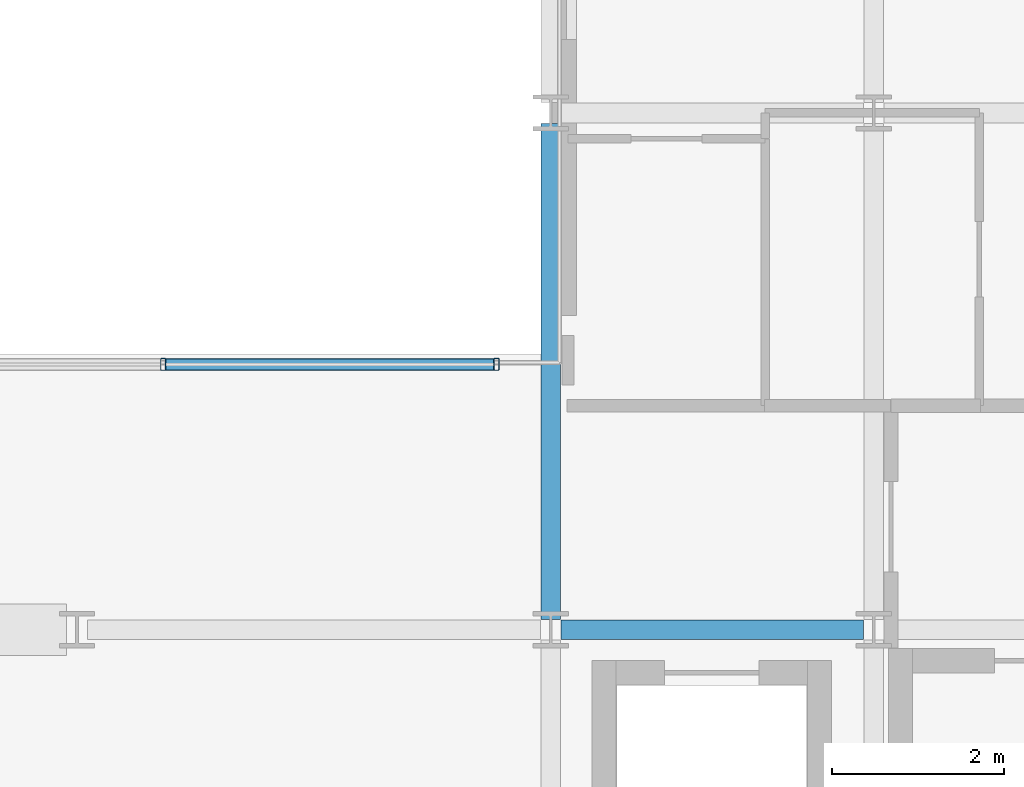
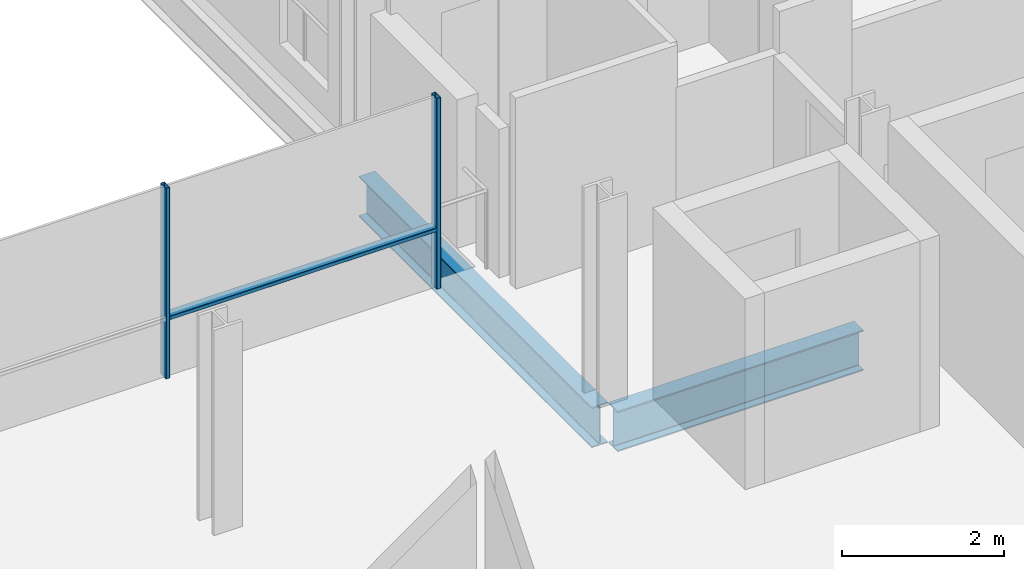
# One storey, part 13 of 41: 3 members, 2 beams, 1 element without a shape of its own.
"""IFC4 building model written with IfcOpenShell, lengths in metres."""

from ifc_helpers import new_model, si_unit, direction, frame, origin, origin_2d, place, context, subcontext, project, spatial, hollow_rectangle, i_section, extrude, material, layer, layer_set, material_profile, profile_set, type_object, element, aggregate, save


model = new_model("IFC4")

# Units and contexts
model_context = context("Model", 3, precision=1e-05, world=origin(), true_north=direction((0.0, 1.0)))
body_context = subcontext(model_context, "Body", "Model", "MODEL_VIEW")
ifc_project = project(units=[si_unit("LENGTHUNIT", "METRE"), si_unit("AREAUNIT", "SQUARE_METRE"), si_unit("VOLUMEUNIT", "CUBIC_METRE"), si_unit("PLANEANGLEUNIT", "RADIAN"), si_unit("MASSUNIT", "GRAM", prefix="KILO")], contexts=[model_context])

# Site, building, storey
site_placement = place(None, origin())
site = spatial("IfcSite", under=ifc_project, at=site_placement, CompositionType="ELEMENT")
building_placement = place(site_placement, origin())
building = spatial("IfcBuilding", under=site, at=building_placement, Name="Brevholm Reach", CompositionType="ELEMENT")
storey_placement = place(building_placement, frame((0.0, 0.0, 106.60009765625)))
storey = spatial("IfcBuildingStorey", under=building, at=storey_placement, Name="L31", CompositionType="ELEMENT", Elevation=106.60009765625)

# Beams
ifc_material_1 = material(Name="Structural Steel S355J2", Category="steel")
ifc_material_profile_1 = material_profile(ifc_material_1, i_section(OverallWidth=0.22900390625, OverallDepth=0.6123046875, WebThickness=0.011962890625, FlangeThickness=0.01953125, FilletRadius=0.0126953125, at=origin_2d()), Name="UKB 610x229x125")
ifc_profile_set_1 = profile_set([ifc_material_profile_1], Name="Structural Steel S355J2")
beam_type = type_object("IfcBeamType", Name="BM-SP610", PredefinedType="SPANDREL", material=ifc_profile_set_1)
beam_1_placement = place(storey_placement, frame((38.3701171875, 10.0, -0.526123046875), z_axis=(1.0, 0.0, 0.0), x_axis=(0.0, 1.0, 0.0)))
element("IfcBeam", 1, at=beam_1_placement, inside=storey, type_object=beam_type, Name="L31 SP-01 Framing Beam", PredefinedType="SPANDREL", context=body_context, shape_type="SweptSolid", body=[
    extrude(i_section(OverallWidth=0.22900390625, OverallDepth=0.6123046875, WebThickness=0.011962890625, FlangeThickness=0.01953125, FilletRadius=0.0126953125, at=origin_2d()), origin(), (0.0, 0.0, 1.0), 3.509765625),
])
beam_2_placement = place(storey_placement, frame((38.25, 10.1201171875, -0.526123046875), z_axis=(0.0, 1.0, 0.0), x_axis=(-1.0, 0.0, 0.0)))
element("IfcBeam", 2, at=beam_2_placement, inside=storey, type_object=beam_type, Name="L31 SP-01 Framing Beam", PredefinedType="SPANDREL", context=body_context, shape_type="SweptSolid", body=[
    extrude(i_section(OverallWidth=0.22900390625, OverallDepth=0.6123046875, WebThickness=0.011962890625, FlangeThickness=0.01953125, FilletRadius=0.0126953125, at=origin_2d()), origin(), (0.0, 0.0, 1.0), 5.759765625),
])

# Curtain wall, members
ifc_material_2 = material(Name="Dark Anodised Aluminium 6063-T6 and Solar-Control Glass", Category="aluminium")
ifc_layer = layer(ifc_material_2, 0.139892578125)
ifc_layer_set = layer_set([ifc_layer], Name="Dark Anodised Aluminium 6063-T6 and Solar-Control Glass")
curtain_wall_type = type_object("IfcCurtainWallType", Name="CW-02", PredefinedType="NOTDEFINED", material=ifc_layer_set)
curtain_wall_placement = place(storey_placement, origin())
curtain_wall = element("IfcCurtainWall", 3, at=curtain_wall_placement, inside=storey, type_object=curtain_wall_type, Name="L31 Curtain Wall CW-02", PredefinedType="NOTDEFINED")
ifc_material_3 = material(Name="Dark Anodised Aluminium 6063-T6", Category="aluminium")
ifc_material_profile_2 = material_profile(ifc_material_3, hollow_rectangle(XDim=0.06005859375, YDim=0.139892578125, WallThickness=0.0048828125, InnerFilletRadius=0.0048828125, OuterFilletRadius=0.010009765625, at=origin_2d()), Name="RHS 140x60x5")
ifc_profile_set_2 = profile_set([ifc_material_profile_2], Name="Dark Anodised Aluminium 6063-T6")
member_type_1 = type_object("IfcMemberType", Name="CWM-140", PredefinedType="MULLION", material=ifc_profile_set_2)
member_1_placement = place(storey_placement, frame((33.75, 13.080078125, 0.0), z_axis=(0.0, 0.0, 1.0), x_axis=(1.0, 0.0, 0.0)))
member_1 = element("IfcMember", 4, at=member_1_placement, type_object=member_type_1, Name="CM-140 Mullion 4", PredefinedType="MULLION", context=body_context, shape_type="SweptSolid", body=[
    extrude(hollow_rectangle(XDim=0.06005859375, YDim=0.139892578125, WallThickness=0.0048828125, InnerFilletRadius=0.0048828125, OuterFilletRadius=0.010009765625, at=origin_2d()), origin(), (0.0, 0.0, 1.0), 2.8798828125),
])
member_2_placement = place(storey_placement, frame((37.6201171875, 13.080078125, 0.0), z_axis=(0.0, 0.0, 1.0), x_axis=(1.0, 0.0, 0.0)))
member_2 = element("IfcMember", 5, at=member_2_placement, type_object=member_type_1, Name="CM-140 Mullion 5", PredefinedType="MULLION", context=body_context, shape_type="SweptSolid", body=[
    extrude(hollow_rectangle(XDim=0.06005859375, YDim=0.139892578125, WallThickness=0.0048828125, InnerFilletRadius=0.0048828125, OuterFilletRadius=0.010009765625, at=origin_2d()), origin(), (0.0, 0.0, 1.0), 2.8798828125),
])
ifc_material_4 = material(Name="Dark Anodised Aluminium 6063-T6", Category="aluminium")
ifc_material_profile_3 = material_profile(ifc_material_4, hollow_rectangle(XDim=0.06005859375, YDim=0.139892578125, WallThickness=0.0048828125, InnerFilletRadius=0.0048828125, OuterFilletRadius=0.010009765625, at=origin_2d()), Name="RHS 140x60x5")
ifc_profile_set_3 = profile_set([ifc_material_profile_3], Name="Dark Anodised Aluminium 6063-T6")
member_type_2 = type_object("IfcMemberType", Name="CWT-140", PredefinedType="NOTDEFINED", material=ifc_profile_set_3)
member_3_placement = place(storey_placement, frame((33.780029296875, 13.080078125, 0.89990234375), z_axis=(1.0, 0.0, 0.0), x_axis=(0.0, 0.0, 1.0)))
member_3 = element("IfcMember", 6, at=member_3_placement, type_object=member_type_2, Name="CT-140 Transom 4.1", ObjectType="TRANSOM", PredefinedType="USERDEFINED", context=body_context, shape_type="SweptSolid", body=[
    extrude(hollow_rectangle(XDim=0.06005859375, YDim=0.139892578125, WallThickness=0.0048828125, InnerFilletRadius=0.0048828125, OuterFilletRadius=0.010009765625, at=origin_2d()), origin(), (0.0, 0.0, 1.0), 3.81005859375),
])
aggregate(curtain_wall, [member_1, member_2, member_3])

save(model, "model.ifc")
